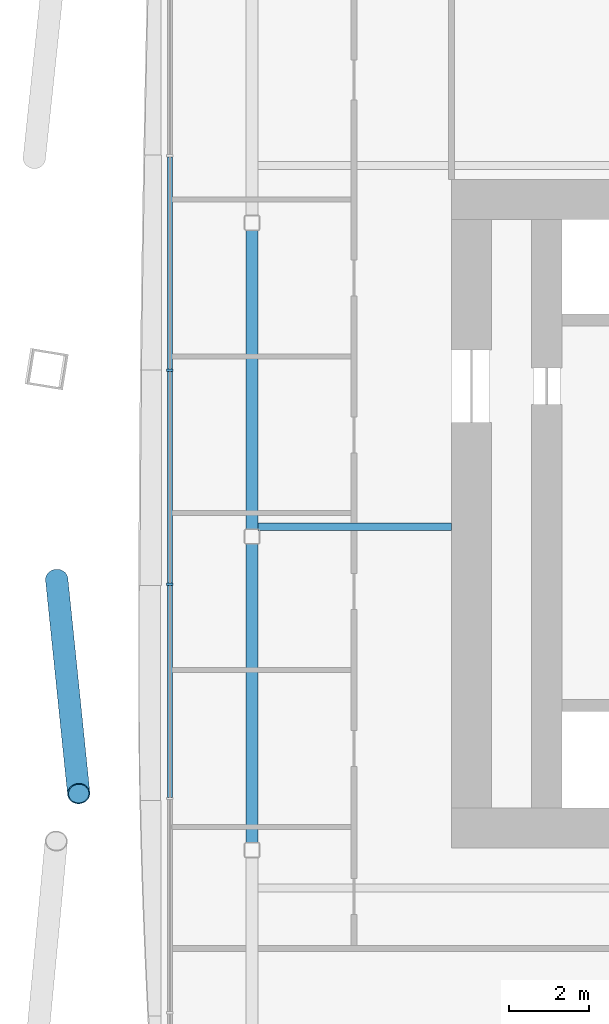
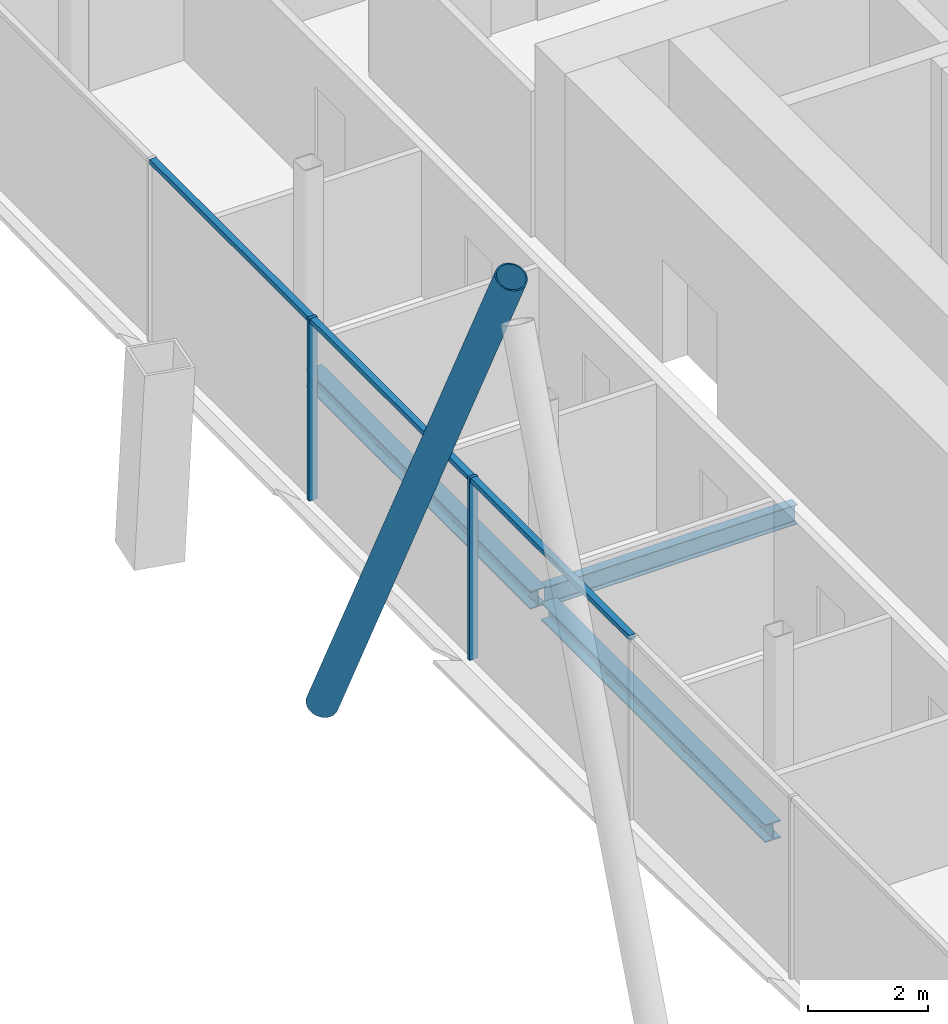
# One storey, part 5 of 22: 6 members, 3 beams, 1 element without a shape of its own.
"""IFC4 building model written with IfcOpenShell, lengths in metres."""

from ifc_helpers import new_model, si_unit, direction, frame, origin, origin_2d, place, context, subcontext, project, spatial, rectangle, hollow_circle, i_section, extrude, material, material_profile, profile_set, type_object, element, aggregate, save


model = new_model("IFC4")

# Units and contexts
model_context = context("Model", 3, precision=1e-05, world=origin(), true_north=direction((0.0, 1.0)))
body_context = subcontext(model_context, "Body", "Model", "MODEL_VIEW")
ifc_project = project(units=[si_unit("LENGTHUNIT", "METRE"), si_unit("AREAUNIT", "SQUARE_METRE"), si_unit("VOLUMEUNIT", "CUBIC_METRE"), si_unit("PLANEANGLEUNIT", "RADIAN"), si_unit("MASSUNIT", "GRAM", prefix="KILO")], contexts=[model_context])

# Site, building, storey
site_placement = place(None, origin())
site = spatial("IfcSite", under=ifc_project, at=site_placement, CompositionType="ELEMENT")
building_placement = place(site_placement, origin())
building = spatial("IfcBuilding", under=site, at=building_placement, Name="Tskaro Facet Tower", CompositionType="ELEMENT")
storey_placement = place(building_placement, frame((0.0, 0.0, 73.800048828125)))
storey = spatial("IfcBuildingStorey", under=building, at=storey_placement, Name="L17", CompositionType="ELEMENT", Elevation=73.800048828125)

# Member
ifc_material_1 = material(Name="Steel S355J2H", Category="steel")
ifc_material_profile_1 = material_profile(ifc_material_1, hollow_circle(Radius=0.279541015625, WallThickness=0.02490234375, at=origin_2d()), Name="CHS 559x25")
ifc_profile_set_1 = profile_set([ifc_material_profile_1], Name="Steel S355J2H")
member_type_1 = type_object("IfcMemberType", Name="CHS 559x25 brace", PredefinedType="BRACE", material=ifc_profile_set_1)
member_1_placement = place(storey_placement, frame((-24.83154296875, -5.812255859375, 0.0), z_axis=(0.042586261107, -0.414462012885, 0.909069661929), x_axis=(0.994762582076, 0.102212549625, 0.0)))
element("IfcMember", 1, at=member_1_placement, inside=storey, type_object=member_type_1, Name="CHS 559x25 XB11A/2", PredefinedType="BRACE", context=body_context, shape_type="SweptSolid", body=[
    extrude(hollow_circle(Radius=0.279541015625, WallThickness=0.02490234375, at=origin_2d()), origin(), (0.0, 0.0, 1.0), 12.870361328125),
])

# Curtain wall, members
ifc_material_2 = material(Name="Bronze anodised aluminium 6063-T6", Category="aluminium")
curtain_wall_type = type_object("IfcCurtainWallType", Name="Bronze office curtain wall (FW1)", PredefinedType="NOTDEFINED", material=ifc_material_2)
curtain_wall_placement = place(storey_placement, origin())
curtain_wall = element("IfcCurtainWall", 2, at=curtain_wall_placement, inside=storey, type_object=curtain_wall_type, Name="FW1 west facet L17", PredefinedType="NOTDEFINED")
ifc_material_profile_2 = material_profile(ifc_material_2, rectangle(XDim=0.06005859375, YDim=0.159912109375, at=origin_2d()), Name="Mullion 60x160")
ifc_profile_set_2 = profile_set([ifc_material_profile_2], Name="Bronze anodised aluminium 6063-T6")
member_type_2 = type_object("IfcMemberType", Name="FW1 bronze mullion 60x160", PredefinedType="MULLION", material=ifc_profile_set_2)
member_2_placement = place(storey_placement, frame((-22.010986328125, -0.597412109375, 0.0), z_axis=(0.0, 0.0, 1.0), x_axis=(0.0, -1.0, 0.0)))
member_2 = element("IfcMember", 3, at=member_2_placement, type_object=member_type_2, Name="FW1 west mullion 4", PredefinedType="MULLION", context=body_context, shape_type="SweptSolid", body=[
    extrude(rectangle(XDim=0.06005859375, YDim=0.159912109375, at=origin_2d()), origin(), (0.0, 0.0, 1.0), 3.699951171875),
])
member_3_placement = place(storey_placement, frame((-22.010986328125, -5.932861328125, 0.0), z_axis=(0.0, 0.0, 1.0), x_axis=(0.0, -1.0, 0.0)))
member_3 = element("IfcMember", 4, at=member_3_placement, type_object=member_type_2, Name="FW1 west mullion 5", PredefinedType="MULLION", context=body_context, shape_type="SweptSolid", body=[
    extrude(rectangle(XDim=0.06005859375, YDim=0.159912109375, at=origin_2d()), origin(), (0.0, 0.0, 1.0), 3.699951171875),
])
ifc_material_profile_3 = material_profile(ifc_material_2, rectangle(XDim=0.1201171875, YDim=0.10009765625, at=origin_2d()), Name="Transom 120x100")
ifc_profile_set_3 = profile_set([ifc_material_profile_3], Name="Bronze anodised aluminium 6063-T6")
member_type_3 = type_object("IfcMemberType", Name="FW1 bronze transom 120x100", PredefinedType="USERDEFINED", material=ifc_profile_set_3)
member_4_placement = place(storey_placement, frame((-22.010986328125, 4.707763671875, 3.64990234375), z_axis=(0.0, -1.0, 0.0), x_axis=(1.0, 0.0, 0.0)))
member_4 = element("IfcMember", 5, at=member_4_placement, type_object=member_type_3, Name="FW1 west transom 4.1", ObjectType="TRANSOM", PredefinedType="USERDEFINED", context=body_context, shape_type="SweptSolid", body=[
    extrude(rectangle(XDim=0.1201171875, YDim=0.10009765625, at=origin_2d()), origin(), (0.0, 0.0, 1.0), 5.275146484375),
])
member_5_placement = place(storey_placement, frame((-22.010986328125, -0.62744140625, 3.64990234375), z_axis=(0.0, -1.0, 0.0), x_axis=(1.0, 0.0, 0.0)))
member_5 = element("IfcMember", 6, at=member_5_placement, type_object=member_type_3, Name="FW1 west transom 5.1", ObjectType="TRANSOM", PredefinedType="USERDEFINED", context=body_context, shape_type="SweptSolid", body=[
    extrude(rectangle(XDim=0.1201171875, YDim=0.10009765625, at=origin_2d()), origin(), (0.0, 0.0, 1.0), 5.275390625),
])
member_6_placement = place(storey_placement, frame((-22.010986328125, -5.962890625, 3.64990234375), z_axis=(0.0, -1.0, 0.0), x_axis=(1.0, 0.0, 0.0)))
member_6 = element("IfcMember", 7, at=member_6_placement, type_object=member_type_3, Name="FW1 west transom 6.1", ObjectType="TRANSOM", PredefinedType="USERDEFINED", context=body_context, shape_type="SweptSolid", body=[
    extrude(rectangle(XDim=0.1201171875, YDim=0.10009765625, at=origin_2d()), origin(), (0.0, 0.0, 1.0), 5.275390625),
])
aggregate(curtain_wall, [member_2, member_3, member_4, member_5, member_6])

# Beams
ifc_material_3 = material(Name="Steel S355J2", Category="steel")
ifc_material_profile_4 = material_profile(ifc_material_3, i_section(OverallWidth=0.300048828125, OverallDepth=0.360107421875, WebThickness=0.012451171875, FlangeThickness=0.0224609375, FilletRadius=0.027099609375, at=origin_2d()), Name="HE 360 B")
ifc_profile_set_4 = profile_set([ifc_material_profile_4], Name="Steel S355J2")
beam_type_1 = type_object("IfcBeamType", Name="HE 360 B ring beam", PredefinedType="BEAM", material=ifc_profile_set_4)
beam_1_placement = place(storey_placement, frame((-19.965087890625, 2.887939453125, -0.320068359375), z_axis=(0.0, -1.0, 0.0), x_axis=(1.0, 0.0, 0.0)))
element("IfcBeam", 8, at=beam_1_placement, inside=storey, type_object=beam_type_1, Name="HE 360 B EB21-2", PredefinedType="BEAM", context=body_context, shape_type="SweptSolid", body=[
    extrude(i_section(OverallWidth=0.300048828125, OverallDepth=0.360107421875, WebThickness=0.012451171875, FlangeThickness=0.0224609375, FilletRadius=0.027099609375, at=origin_2d()), origin(), (0.0, 0.0, 1.0), 7.449951171875),
])
beam_2_placement = place(storey_placement, frame((-19.965087890625, -4.922119140625, -0.320068359375), z_axis=(0.0, -1.0, 0.0), x_axis=(1.0, 0.0, 0.0)))
element("IfcBeam", 9, at=beam_2_placement, inside=storey, type_object=beam_type_1, Name="HE 360 B EB22-2", PredefinedType="BEAM", context=body_context, shape_type="SweptSolid", body=[
    extrude(i_section(OverallWidth=0.300048828125, OverallDepth=0.360107421875, WebThickness=0.012451171875, FlangeThickness=0.0224609375, FilletRadius=0.027099609375, at=origin_2d()), origin(), (0.0, 0.0, 1.0), 7.450927734375),
])
ifc_material_profile_5 = material_profile(ifc_material_3, i_section(OverallWidth=0.179931640625, OverallDepth=0.39990234375, WebThickness=0.008544921875, FlangeThickness=0.013427734375, FilletRadius=0.02099609375, at=origin_2d()), Name="IPE 400")
ifc_profile_set_5 = profile_set([ifc_material_profile_5], Name="Steel S355J2")
beam_type_2 = type_object("IfcBeamType", Name="IPE 400 secondary beam", PredefinedType="BEAM", material=ifc_profile_set_5)
beam_3_placement = place(storey_placement, frame((-19.81494140625, -4.5, -0.340087890625), z_axis=(1.0, 0.0, 0.0), x_axis=(0.0, 1.0, 0.0)))
element("IfcBeam", 10, at=beam_3_placement, inside=storey, type_object=beam_type_2, Name="IPE 400 SB3a-1-2", PredefinedType="BEAM", context=body_context, shape_type="SweptSolid", body=[
    extrude(i_section(OverallWidth=0.179931640625, OverallDepth=0.39990234375, WebThickness=0.008544921875, FlangeThickness=0.013427734375, FilletRadius=0.02099609375, at=origin_2d()), origin(), (0.0, 0.0, 1.0), 4.81494140625),
])

save(model, "model.ifc")
